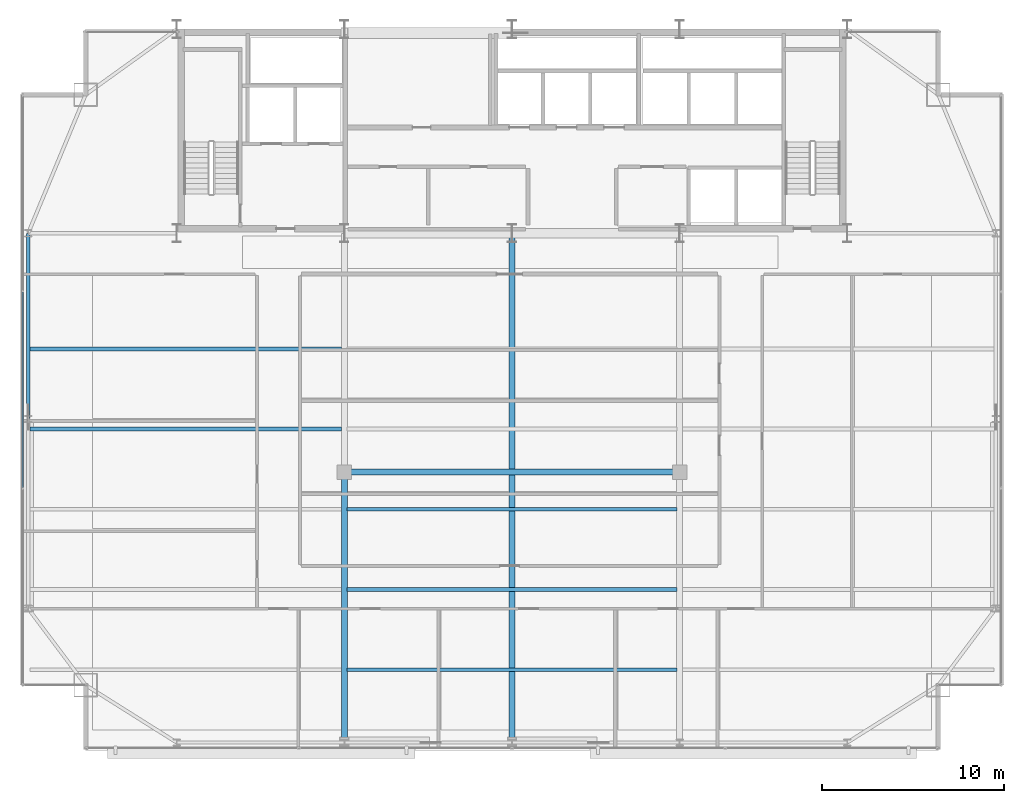
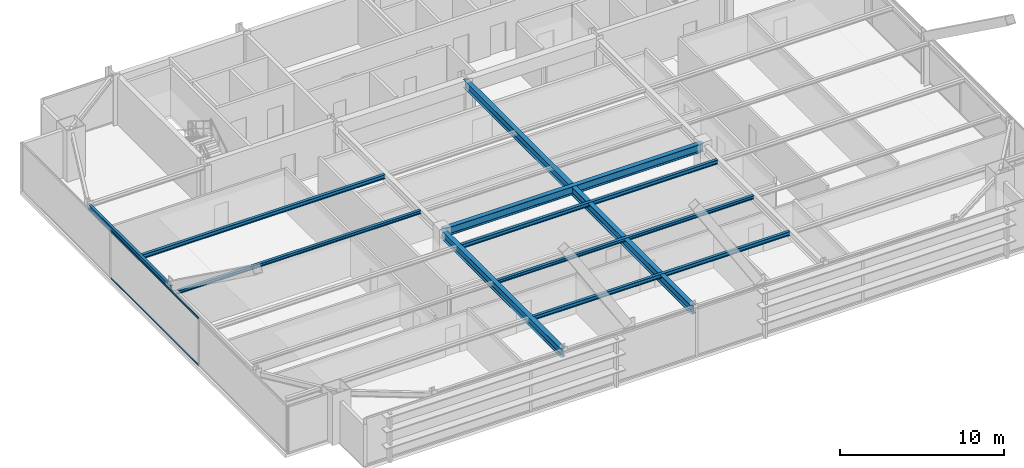
# One storey, part 10 of 30: 9 beams, 2 members, 1 element without a shape of its own.
"""IFC4 building model written with IfcOpenShell, lengths in metres."""

from ifc_helpers import new_model, si_unit, direction, frame, origin, origin_2d, place, context, subcontext, project, spatial, hollow_rectangle, i_section, extrude, source, transform, mapped, material, layer, layer_set, material_profile, profile_set, type_object, type_shapes, element, aggregate, save


model = new_model("IFC4")

# Units and contexts
model_context = context("Model", 3, precision=1e-05, world=origin(), true_north=direction((0.0, 1.0)))
body_context = subcontext(model_context, "Body", "Model", "MODEL_VIEW")
ifc_project = project(units=[si_unit("LENGTHUNIT", "METRE"), si_unit("AREAUNIT", "SQUARE_METRE"), si_unit("VOLUMEUNIT", "CUBIC_METRE"), si_unit("PLANEANGLEUNIT", "RADIAN"), si_unit("MASSUNIT", "GRAM", prefix="KILO")], contexts=[model_context])

# Site, building, storey
site_placement = place(None, origin())
site = spatial("IfcSite", under=ifc_project, at=site_placement, CompositionType="ELEMENT")
building_placement = place(site_placement, origin())
building = spatial("IfcBuilding", under=site, at=building_placement, Name="Varnel Quay Broadcast Tower", CompositionType="ELEMENT")
storey_placement = place(building_placement, frame((0.0, 0.0, 180.0)))
storey = spatial("IfcBuildingStorey", under=building, at=storey_placement, Name="L44", CompositionType="ELEMENT", Elevation=180.0)

# Beams
ifc_material_1 = material(Name="Structural Steel CSA G40.21 350W", Category="steel")
ifc_material_profile_1 = material_profile(ifc_material_1, i_section(OverallWidth=0.180908203125, OverallDepth=0.4169921875, WebThickness=0.010986328125, FlangeThickness=0.018310546875, FilletRadius=0.011962890625, at=origin_2d()), Name="W410X85")
ifc_profile_set_1 = profile_set([ifc_material_profile_1], Name="Structural Steel CSA G40.21 350W")
beam_type_1 = type_object("IfcBeamType", Name="Beam_W410X85", PredefinedType="SPANDREL", material=ifc_profile_set_1)
shared_shape_1 = source(origin(), body_context, "Body", "SweptSolid", [
    extrude(i_section(OverallWidth=0.180908203125, OverallDepth=0.4169921875, WebThickness=0.010986328125, FlangeThickness=0.018310546875, FilletRadius=0.011962890625, at=origin_2d()), origin(), (0.0, 0.0, 1.0), 10.16015625),
])
type_shapes(beam_type_1, [shared_shape_1])
beam_1_placement = place(storey_placement, frame((7.449951171875, 25.419921875, 3.341552734375), z_axis=(0.0, 1.0, 0.0), x_axis=(-1.0, 0.0, 0.0)))
element("IfcBeam", 1, at=beam_1_placement, inside=storey, type_object=beam_type_1, Name="L44 West Spandrel TC-W2-TC-W3", PredefinedType="SPANDREL", context=body_context, shape_type="MappedRepresentation", body=[
    mapped(shared_shape_1, transform((0.0, 0.0, 0.0), x_axis=(1.0, 0.0, 0.0), y_axis=(0.0, 1.0, 0.0), z_axis=(0.0, 0.0, 1.0), scale=1.0)),
])
ifc_material_profile_2 = material_profile(ifc_material_1, i_section(OverallWidth=0.324951171875, OverallDepth=0.615966796875, WebThickness=0.013916015625, FlangeThickness=0.021484375, FilletRadius=0.01611328125, at=origin_2d()), Name="W610X174")
ifc_profile_set_2 = profile_set([ifc_material_profile_2], Name="Structural Steel CSA G40.21 350W")
beam_type_2 = type_object("IfcBeamType", Name="Girder_W610X174", PredefinedType="BEAM", material=ifc_profile_set_2)
shared_shape_2 = source(origin(), body_context, "Body", "SweptSolid", [
    extrude(i_section(OverallWidth=0.324951171875, OverallDepth=0.615966796875, WebThickness=0.013916015625, FlangeThickness=0.021484375, FilletRadius=0.01611328125, at=origin_2d()), origin(), (0.0, 0.0, 1.0), 14.800048828125),
])
beam_2_placement = place(storey_placement, frame((24.800048828125, 7.669921875, 3.241943359375), z_axis=(0.0, 1.0, 0.0), x_axis=(-1.0, 0.0, 0.0)))
element("IfcBeam", 2, at=beam_2_placement, inside=storey, type_object=beam_type_2, Name="L44 Primary Girder TC-S2-IC-01", PredefinedType="BEAM", context=body_context, shape_type="MappedRepresentation", body=[
    mapped(shared_shape_2, transform((0.0, 0.0, 0.0), x_axis=(1.0, 0.0, 0.0), y_axis=(0.0, 1.0, 0.0), z_axis=(0.0, 0.0, 1.0), scale=1.0)),
])
shared_shape_3 = source(origin(), body_context, "Body", "SweptSolid", [
    extrude(i_section(OverallWidth=0.324951171875, OverallDepth=0.615966796875, WebThickness=0.013916015625, FlangeThickness=0.021484375, FilletRadius=0.01611328125, at=origin_2d()), origin(), (0.0, 0.0, 1.0), 18.35986328125),
])
beam_3_placement = place(storey_placement, frame((24.820068359375, 22.489990234375, 3.241943359375), z_axis=(1.0, 0.0, 0.0), x_axis=(0.0, 1.0, 0.0)))
element("IfcBeam", 3, at=beam_3_placement, inside=storey, type_object=beam_type_2, Name="L44 Interior Spine Girder", PredefinedType="BEAM", context=body_context, shape_type="MappedRepresentation", body=[
    mapped(shared_shape_3, transform((0.0, 0.0, 0.0), x_axis=(1.0, 0.0, 0.0), y_axis=(0.0, 1.0, 0.0), z_axis=(0.0, 0.0, 1.0), scale=1.0)),
])
shared_shape_4 = source(origin(), body_context, "Body", "SweptSolid", [
    extrude(i_section(OverallWidth=0.324951171875, OverallDepth=0.615966796875, WebThickness=0.013916015625, FlangeThickness=0.021484375, FilletRadius=0.01611328125, at=origin_2d()), origin(), (0.0, 0.0, 1.0), 27.91015625),
])
type_shapes(beam_type_2, [shared_shape_2, shared_shape_3, shared_shape_4])
beam_4_placement = place(storey_placement, frame((34.0, 7.669921875, 3.241943359375), z_axis=(0.0, 1.0, 0.0), x_axis=(-1.0, 0.0, 0.0)))
element("IfcBeam", 4, at=beam_4_placement, inside=storey, type_object=beam_type_2, Name="L44 Central Bay Girder", PredefinedType="BEAM", context=body_context, shape_type="MappedRepresentation", body=[
    mapped(shared_shape_4, transform((0.0, 0.0, 0.0), x_axis=(1.0, 0.0, 0.0), y_axis=(0.0, 1.0, 0.0), z_axis=(0.0, 0.0, 1.0), scale=1.0)),
])
ifc_material_profile_3 = material_profile(ifc_material_1, i_section(OverallWidth=0.202880859375, OverallDepth=0.302978515625, WebThickness=0.007568359375, FlangeThickness=0.01318359375, FilletRadius=0.011962890625, at=origin_2d()), Name="W310X60")
ifc_profile_set_3 = profile_set([ifc_material_profile_3], Name="Structural Steel CSA G40.21 350W")
beam_type_3 = type_object("IfcBeamType", Name="Beam_W310X60", PredefinedType="JOIST", material=ifc_profile_set_3)
shared_shape_5 = source(origin(), body_context, "Body", "SweptSolid", [
    extrude(i_section(OverallWidth=0.202880859375, OverallDepth=0.302978515625, WebThickness=0.007568359375, FlangeThickness=0.01318359375, FilletRadius=0.011962890625, at=origin_2d()), origin(), (0.0, 0.0, 1.0), 17.107177734375),
])
beam_5_placement = place(storey_placement, frame((7.535400390625, 29.25, 3.3984375), z_axis=(1.0, 0.0, 0.0), x_axis=(0.0, 1.0, 0.0)))
element("IfcBeam", 5, at=beam_5_placement, inside=storey, type_object=beam_type_3, Name="L44 West Floor Joist 5", PredefinedType="JOIST", context=body_context, shape_type="MappedRepresentation", body=[
    mapped(shared_shape_5, transform((0.0, 0.0, 0.0), x_axis=(1.0, 0.0, 0.0), y_axis=(0.0, 1.0, 0.0), z_axis=(0.0, 0.0, 1.0), scale=1.0)),
])
shared_shape_6 = source(origin(), body_context, "Body", "SweptSolid", [
    extrude(i_section(OverallWidth=0.202880859375, OverallDepth=0.302978515625, WebThickness=0.007568359375, FlangeThickness=0.01318359375, FilletRadius=0.011962890625, at=origin_2d()), origin(), (0.0, 0.0, 1.0), 18.0849609375),
])
type_shapes(beam_type_3, [shared_shape_5, shared_shape_6])
for number, where, z_axis, x_axis, name in (
    (6, (24.95751953125, 11.64990234375, 3.3984375), (1.0, 0.0, 0.0), (0.0, 1.0, 0.0), "L44 Central Floor Joist 1"),
    (7, (24.95751953125, 20.449951171875, 3.3984375), (1.0, 0.0, 0.0), (0.0, 1.0, 0.0), "L44 Central Floor Joist 3"),
):
    element("IfcBeam", number, at=place(storey_placement, frame(where, z_axis=z_axis, x_axis=x_axis)), inside=storey, type_object=beam_type_3, Name=name, PredefinedType="JOIST", context=body_context, shape_type="MappedRepresentation", body=[
        mapped(shared_shape_6, transform((0.0, 0.0, 0.0), x_axis=(1.0, 0.0, 0.0), y_axis=(0.0, 1.0, 0.0), z_axis=(0.0, 0.0, 1.0), scale=1.0)),
    ])
ifc_material_profile_4 = material_profile(ifc_material_1, i_section(OverallWidth=0.201904296875, OverallDepth=0.2470703125, WebThickness=0.00732421875, FlangeThickness=0.010986328125, FilletRadius=0.010986328125, at=origin_2d()), Name="W250X49")
ifc_profile_set_4 = profile_set([ifc_material_profile_4], Name="Structural Steel CSA G40.21 350W")
beam_type_4 = type_object("IfcBeamType", Name="Beam_W250X49", PredefinedType="JOIST", material=ifc_profile_set_4)
shared_shape_7 = source(origin(), body_context, "Body", "SweptSolid", [
    extrude(i_section(OverallWidth=0.201904296875, OverallDepth=0.2470703125, WebThickness=0.00732421875, FlangeThickness=0.010986328125, FilletRadius=0.010986328125, at=origin_2d()), origin(), (0.0, 0.0, 1.0), 17.107177734375),
])
beam_6_placement = place(storey_placement, frame((7.535400390625, 24.85009765625, 3.426513671875), z_axis=(1.0, 0.0, 0.0), x_axis=(0.0, 1.0, 0.0)))
element("IfcBeam", 8, at=beam_6_placement, inside=storey, type_object=beam_type_4, Name="L44 West Floor Joist 4", PredefinedType="JOIST", context=body_context, shape_type="MappedRepresentation", body=[
    mapped(shared_shape_7, transform((0.0, 0.0, 0.0), x_axis=(1.0, 0.0, 0.0), y_axis=(0.0, 1.0, 0.0), z_axis=(0.0, 0.0, 1.0), scale=1.0)),
])
shared_shape_8 = source(origin(), body_context, "Body", "SweptSolid", [
    extrude(i_section(OverallWidth=0.201904296875, OverallDepth=0.2470703125, WebThickness=0.00732421875, FlangeThickness=0.010986328125, FilletRadius=0.010986328125, at=origin_2d()), origin(), (0.0, 0.0, 1.0), 18.0849609375),
])
type_shapes(beam_type_4, [shared_shape_7, shared_shape_8])
beam_7_placement = place(storey_placement, frame((24.95751953125, 16.050048828125, 3.426513671875), z_axis=(1.0, 0.0, 0.0), x_axis=(0.0, 1.0, 0.0)))
element("IfcBeam", 9, at=beam_7_placement, inside=storey, type_object=beam_type_4, Name="L44 Central Floor Joist 2", PredefinedType="JOIST", context=body_context, shape_type="MappedRepresentation", body=[
    mapped(shared_shape_8, transform((0.0, 0.0, 0.0), x_axis=(1.0, 0.0, 0.0), y_axis=(0.0, 1.0, 0.0), z_axis=(0.0, 0.0, 1.0), scale=1.0)),
])

# Curtain wall, members
ifc_material_2 = material(Name="Anodised Bronze Aluminium 6063-T6", Category="aluminium")
ifc_layer = layer(ifc_material_2, 0.18994140625, Name="Anodised Bronze Aluminium 6063-T6")
ifc_layer_set = layer_set([ifc_layer], Name="Anodised Bronze Aluminium 6063-T6")
curtain_wall_type = type_object("IfcCurtainWallType", Name="CW_UpperTower", PredefinedType="NOTDEFINED", material=ifc_layer_set)
curtain_wall_placement = place(storey_placement, origin())
curtain_wall = element("IfcCurtainWall", 10, at=curtain_wall_placement, inside=storey, type_object=curtain_wall_type, Name="L44 West Unitised Curtain Wall", PredefinedType="NOTDEFINED")
ifc_material_profile_5 = material_profile(ifc_material_2, hollow_rectangle(XDim=0.06005859375, YDim=0.125, WallThickness=0.0029296875, at=origin_2d()), Name="ALU60X125X3")
ifc_profile_set_5 = profile_set([ifc_material_profile_5], Name="Anodised Bronze Aluminium 6063-T6")
member_type = type_object("IfcMemberType", Name="Tran_CWS-03", PredefinedType="USERDEFINED", material=ifc_profile_set_5)
shared_shape_9 = source(origin(), body_context, "Body", "SweptSolid", [
    extrude(hollow_rectangle(XDim=0.06005859375, YDim=0.125, WallThickness=0.0029296875, at=origin_2d()), origin(), (0.0, 0.0, 1.0), 10.73486328125),
])
type_shapes(member_type, [shared_shape_9])
member_1_placement = place(storey_placement, frame((7.14990234375, 21.632568359375, 0.030029296875), z_axis=(0.0, 1.0, 0.0), x_axis=(-1.0, 0.0, 0.0)))
member_1 = element("IfcMember", 11, at=member_1_placement, type_object=member_type, Name="CWS-03 transom 2.1", ObjectType="TRANSOM", PredefinedType="USERDEFINED", context=body_context, shape_type="MappedRepresentation", body=[
    mapped(shared_shape_9, transform((0.0, 0.0, 0.0), x_axis=(1.0, 0.0, 0.0), y_axis=(0.0, 1.0, 0.0), z_axis=(0.0, 0.0, 1.0), scale=1.0)),
])
member_2_placement = place(storey_placement, frame((7.14990234375, 21.632568359375, 3.52001953125), z_axis=(0.0, 1.0, 0.0), x_axis=(-1.0, 0.0, 0.0)))
member_2 = element("IfcMember", 12, at=member_2_placement, type_object=member_type, Name="CWS-03 transom 2.2", ObjectType="TRANSOM", PredefinedType="USERDEFINED", context=body_context, shape_type="MappedRepresentation", body=[
    mapped(shared_shape_9, transform((0.0, 0.0, 0.0), x_axis=(1.0, 0.0, 0.0), y_axis=(0.0, 1.0, 0.0), z_axis=(0.0, 0.0, 1.0), scale=1.0)),
])
aggregate(curtain_wall, [member_1, member_2])

save(model, "model.ifc")
